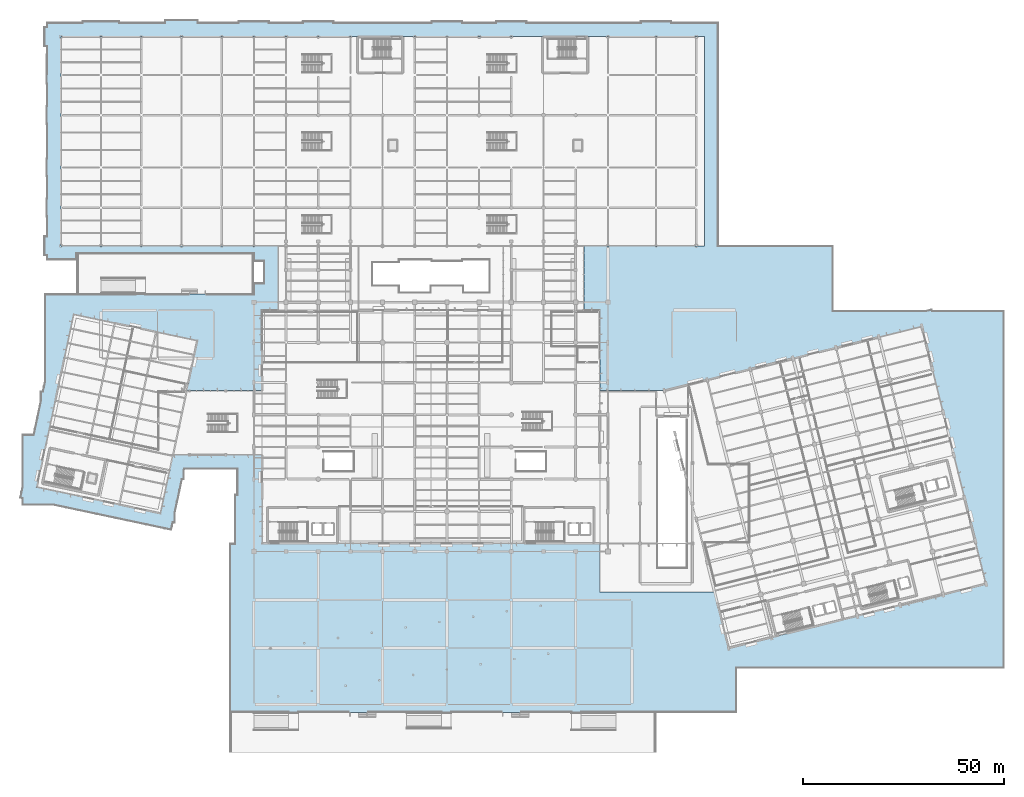
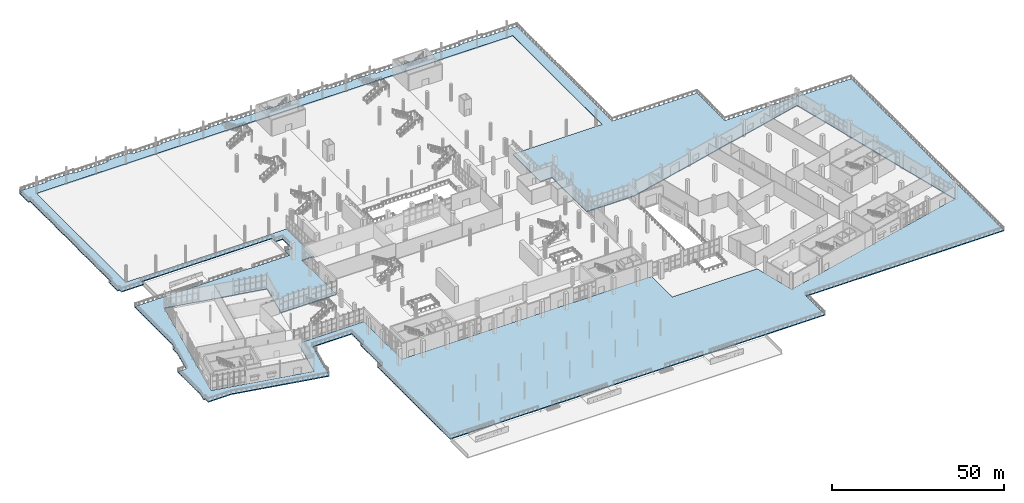
# One storey, part 115 of 163: 1 slab.
"""IFC4 building model written with IfcOpenShell, lengths in metres."""

from ifc_helpers import new_model, si_unit, direction, frame, origin, place, context, subcontext, project, spatial, polyline, outline, extrude, material, layer, layer_set, type_object, element, save


model = new_model("IFC4")

# Units and contexts
model_context = context("Model", 3, precision=1e-05, world=origin(), true_north=direction((0.0, 1.0)))
body_context = subcontext(model_context, "Body", "Model", "MODEL_VIEW")
ifc_project = project(units=[si_unit("LENGTHUNIT", "METRE"), si_unit("AREAUNIT", "SQUARE_METRE"), si_unit("VOLUMEUNIT", "CUBIC_METRE"), si_unit("PLANEANGLEUNIT", "RADIAN"), si_unit("MASSUNIT", "GRAM", prefix="KILO")], contexts=[model_context])

# Site, building, storey
site_placement = place(None, origin())
site = spatial("IfcSite", under=ifc_project, at=site_placement, CompositionType="ELEMENT")
building_placement = place(site_placement, origin())
building = spatial("IfcBuilding", under=site, at=building_placement, Name="Khorjan Park Terminus", CompositionType="ELEMENT")
storey_placement = place(building_placement, origin())
storey = spatial("IfcBuildingStorey", under=building, at=storey_placement, Name="L00", CompositionType="ELEMENT", Elevation=0.0)

# Slab
ifc_material = material(Name="Concrete C40/50", Category="concrete")
ifc_layer = layer(ifc_material, 0.32)
ifc_layer_set = layer_set([ifc_layer], Name="Concrete C40/50")
slab_type = type_object("IfcSlabType", Name="SL-TER-320", PredefinedType="ROOF", material=ifc_layer_set)
slab_placement = place(storey_placement, frame((0.0, 0.0, -0.32)))
element("IfcSlab", 1, at=slab_placement, inside=storey, type_object=slab_type, Name="External paved civic forecourt and court plinth slab TS-32 (L00-APR-01)", PredefinedType="ROOF", context=body_context, shape_type="SweptSolid", body=[
    extrude(outline(polyline([(27.5074, 31.2996), (-1.7432, 37.517), (-9.582, 37.517), (-9.582, 39.1832), (-10.1512, 39.3042), (-9.582, 41.9821), (-9.582, 55.06), (-6.8022, 55.06), (-5.008, 63.5008), (-5.008, 65.819), (-4.5153, 65.819), (-4.0, 68.2431), (-4.0, 90.0), (48.0039, 90.0004), (48.02, 92.737), (50.5, 92.737), (50.5, 98.129), (48.02, 98.129), (48.0, 100.02), (4.0, 100.02), (3.98, 98.5), (-3.5, 98.5), (-3.5, 99.55), (-4.16, 99.55), (-4.16, 104.45), (-3.5, 104.45), (-3.5, 109.2), (-3.583, 109.2), (-3.583, 113.8), (-3.5, 113.8), (-3.5, 119.2), (-3.583, 119.2), (-3.583, 123.8), (-3.5, 123.8), (-3.5, 132.2), (-3.583, 132.2), (-3.583, 136.8), (-3.5, 136.8), (-3.5, 142.2), (-3.583, 142.2), (-3.5, 151.55), (-4.16, 151.55), (-4.16, 156.45), (-3.5, 156.45), (-3.5, 157.5), (5.37, 157.5), (5.37, 157.871), (14.63, 157.871), (14.63, 157.5), (25.84, 157.5), (25.84, 158.16), (34.16, 158.16), (34.16, 157.5), (44.129, 157.5), (44.129, 157.871), (51.871, 157.871), (51.871, 157.5), (60.129, 157.5), (60.129, 157.871), (67.871, 157.871), (67.871, 157.5), (92.129, 157.5), (92.129, 157.871), (99.871, 157.871), (99.871, 157.5), (108.129, 157.5), (108.129, 157.871), (115.871, 157.871), (115.871, 157.5), (144.129, 157.5), (144.129, 157.871), (151.871, 157.871), (151.871, 157.5), (163.5, 157.5), (163.5, 102.0), (192.0, 102.0), (192.0, 85.877), (215.1293, 85.877), (216.622, 86.2492), (216.7148, 85.877), (234.489, 85.877), (234.489, -2.992), (168.0, -2.992), (168.0, -14.0), (42.0, -14.0), (42.0, 28.0), (43.263, 28.0), (43.263, 40.16), (43.84, 40.16), (43.84, 46.5), (30.7384, 46.5), (30.681, 46.23), (30.681, 43.91), (30.1879, 43.91), (28.395, 35.4753), (28.395, 33.151), (27.901, 33.151), (27.5074, 31.2996)]), holes=[polyline([(-6.0237, 41.9846), (24.827, 35.4271), (27.9204, 49.98), (49.98, 49.98), (49.98, 27.98), (133.98, 27.98), (133.98, 15.98), (162.4938, 15.98), (165.9854, 1.9758), (230.0637, 17.9522), (214.0873, 82.0306), (150.0174, 66.02), (134.02, 66.02), (134.02, 86.02), (130.02, 86.02), (130.02, 101.98), (160.02, 101.98), (160.02, 154.02), (-0.02, 154.02), (-0.02, 101.98), (53.98, 101.98), (53.98, 86.02), (49.98, 86.02), (49.98, 66.02), (31.3298, 66.02), (33.9835, 78.5047), (3.1327, 85.0622), (-6.0237, 41.9846)])]), origin(), (0.0, 0.0, 1.0), 0.32),
])

save(model, "model.ifc")
